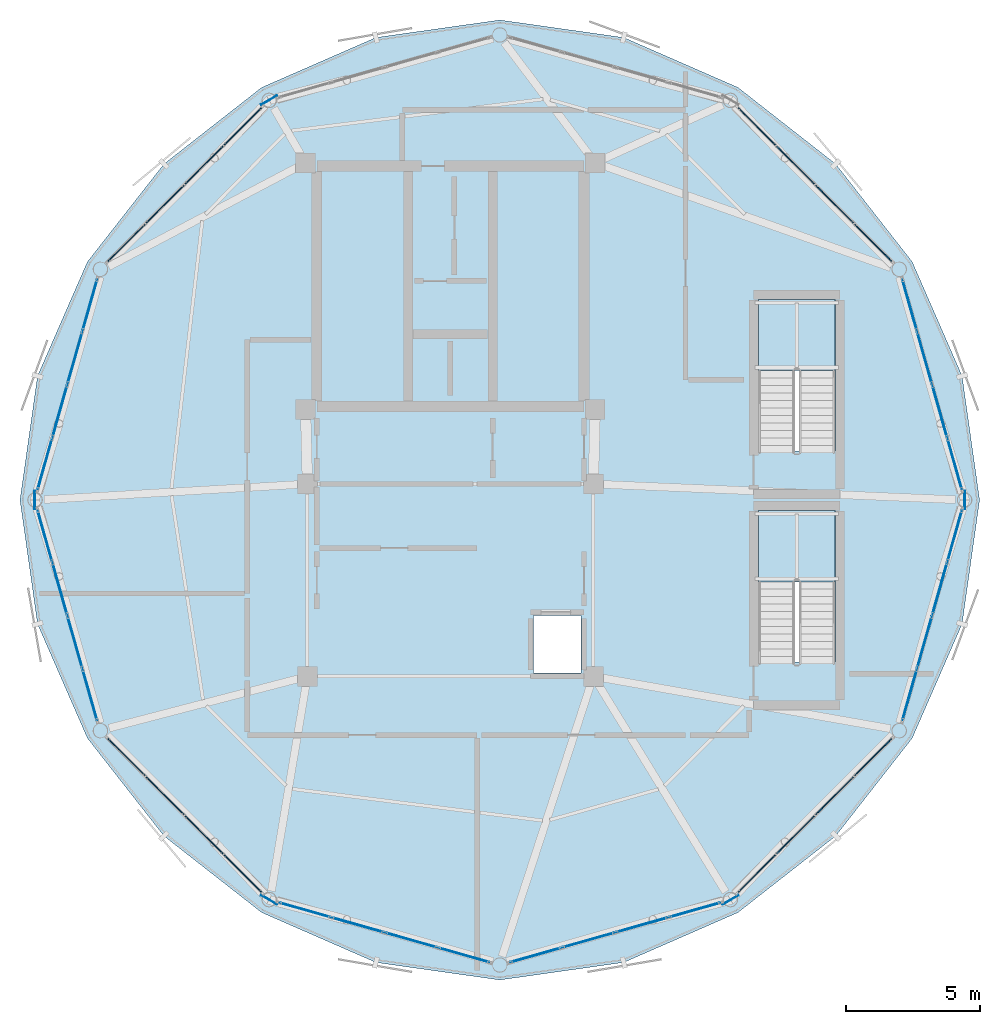
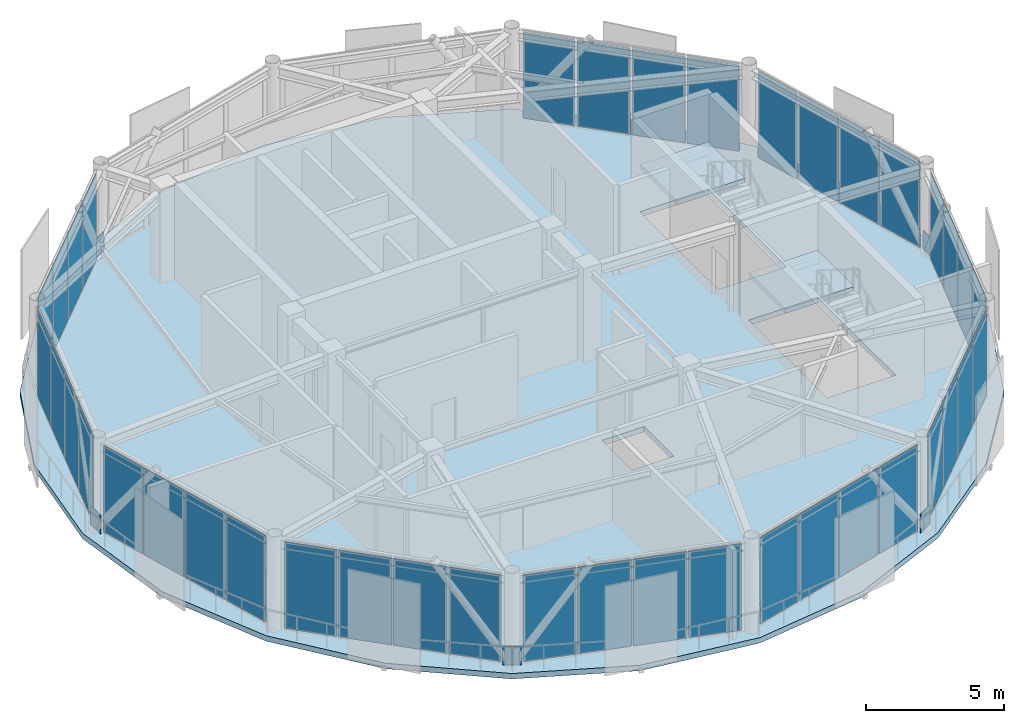
# One storey, part 15 of 20: 45 plates, 3 slabs, 12 elements without a shape of their own.
"""IFC4 building model written with IfcOpenShell, lengths in metres."""

from ifc_helpers import new_model, si_unit, direction, frame, origin, origin_2d, place, context, subcontext, project, spatial, polyline, rectangle, outline, extrude, source, transform, mapped, material, layer, layer_set, type_object, type_shapes, element, aggregate, save


model = new_model("IFC4")

# Units and contexts
model_context = context("Model", 3, precision=1e-05, world=origin(), true_north=direction((0.0, 1.0)))
body_context = subcontext(model_context, "Body", "Model", "MODEL_VIEW")
ifc_project = project(units=[si_unit("LENGTHUNIT", "METRE"), si_unit("AREAUNIT", "SQUARE_METRE"), si_unit("VOLUMEUNIT", "CUBIC_METRE"), si_unit("PLANEANGLEUNIT", "RADIAN"), si_unit("MASSUNIT", "GRAM", prefix="KILO")], contexts=[model_context])

# Site, building, storey
site_placement = place(None, origin())
site = spatial("IfcSite", under=ifc_project, at=site_placement, CompositionType="ELEMENT")
building_placement = place(site_placement, origin())
building = spatial("IfcBuilding", under=site, at=building_placement, Name="Varnakorn Sky Granary", CompositionType="ELEMENT")
storey_placement = place(building_placement, frame((0.0, 0.0, 306.60009765625)))
storey = spatial("IfcBuildingStorey", under=building, at=storey_placement, Name="L78", CompositionType="ELEMENT", Elevation=306.60009765625)

# Plates
ifc_material_1 = material(Name="Steel S460M", Category="steel")
ifc_layer_1 = layer(ifc_material_1, 0.031982421875, Name="Steel S460M")
ifc_layer_set_1 = layer_set([ifc_layer_1], Name="Steel S460M")
plate_type_1 = type_object("IfcPlateType", Name="PL-NODE-KN8", PredefinedType="SHEET", material=ifc_layer_set_1)
for number, where, z_axis, x_axis, name in (
    (1, (22.257080078125, 0.0, 0.0), (0.0, 0.0, 1.0), (0.0, 1.0, 0.0), "Diagrid Node Gusset Assembly KN8 L78-1"),
    (2, (-3.785888671875, 14.964111328125, 0.0), (0.0, 0.0, 1.0), (-0.866113789901, -0.499846879497, 0.0), "Diagrid Node Gusset Assembly KN8 L78-5"),
    (3, (-12.556884765625, 0.0, 0.0), (0.0, 0.0, 1.0), (0.0, -1.0, 0.0), "Diagrid Node Gusset Assembly KN8 L78-7"),
    (4, (-3.785888671875, -14.964111328125, 0.0), (0.0, 0.0, 1.0), (0.866113789901, -0.499846879497, 0.0), "Diagrid Node Gusset Assembly KN8 L78-9"),
    (5, (13.486083984375, -14.964111328125, 0.0), (0.0, 0.0, 1.0), (0.866113789901, 0.499846879497, 0.0), "Diagrid Node Gusset Assembly KN8 L78-11"),
):
    element("IfcPlate", number, at=place(storey_placement, frame(where, z_axis=z_axis, x_axis=x_axis)), inside=storey, type_object=plate_type_1, Name=name, PredefinedType="SHEET", context=body_context, shape_type="SweptSolid", body=[
        extrude(rectangle(XDim=0.699951171875, YDim=0.031982421875, at=origin_2d()), origin(), (0.0, 0.0, 1.0), 0.820068359375),
    ])

# Stair, slab
ifc_material_2 = material(Name="Concrete C40/50", Category="concrete")
stair_type = type_object("IfcStairType", Name="ST-CRWN-ASSEMBLY", PredefinedType="HALF_TURN_STAIR", material=ifc_material_2)
stair_1_placement = place(storey_placement, origin())
stair_1 = element("IfcStair", 6, at=stair_1_placement, inside=storey, type_object=stair_type, Name="L78 Crown North Exit Stair ST-C1", PredefinedType="HALF_TURN_STAIR")
ifc_layer_2 = layer(ifc_material_2, 0.199951171875, Name="Concrete C40/50")
ifc_layer_set_2 = layer_set([ifc_layer_2], Name="Concrete C40/50")
slab_type_1 = type_object("IfcSlabType", Name="ST-CRWN-LAND", PredefinedType="LANDING", material=ifc_layer_set_2)
slab_1_placement = place(storey_placement, frame((0.0, 0.0, 1.89990234375)))
slab_1 = element("IfcSlab", 7, at=slab_1_placement, type_object=slab_type_1, Name="ST-C1 landing 1", PredefinedType="LANDING", context=body_context, shape_type="SweptSolid", body=[
    extrude(outline(polyline([(17.39990234375, 4.840087890625), (17.39990234375, 7.5), (14.530029296875, 7.5), (14.530029296875, 4.840087890625), (17.39990234375, 4.840087890625)])), origin(), (0.0, 0.0, 1.0), 0.199951171875),
])
aggregate(stair_1, [slab_1])

stair_2_placement = place(storey_placement, origin())
stair_2 = element("IfcStair", 8, at=stair_2_placement, inside=storey, type_object=stair_type, Name="L78 Crown South Exit Stair ST-C2", PredefinedType="HALF_TURN_STAIR")
slab_2_placement = place(storey_placement, frame((0.0, 0.0, 1.89990234375)))
slab_2 = element("IfcSlab", 9, at=slab_2_placement, type_object=slab_type_1, Name="ST-C2 landing 1", PredefinedType="LANDING", context=body_context, shape_type="SweptSolid", body=[
    extrude(outline(polyline([(17.39990234375, -3.06005859375), (17.39990234375, -0.39990234375), (14.530029296875, -0.39990234375), (14.530029296875, -3.06005859375), (17.39990234375, -3.06005859375)])), origin(), (0.0, 0.0, 1.0), 0.199951171875),
])
aggregate(stair_2, [slab_2])

# Slab
ifc_material_3 = material(Name="Concrete C50/60", Category="concrete")
ifc_layer_3 = layer(ifc_material_3, 0.239990234375, Name="Concrete C50/60")
ifc_layer_set_3 = layer_set([ifc_layer_3], Name="Concrete C50/60")
slab_type_2 = type_object("IfcSlabType", Name="ST-SL-TWR-240", PredefinedType="FLOOR", material=ifc_layer_set_3)
slab_3_placement = place(storey_placement, frame((0.0, 0.0, -0.239990234375)))
element("IfcSlab", 10, at=slab_3_placement, inside=storey, type_object=slab_type_2, Name="Level L78 Structural Floor Slab", PredefinedType="FLOOR", context=body_context, shape_type="SweptSolid", body=[
    extrude(outline(polyline([(22.806884765625, 0.0), (22.151611328125, 4.6376953125), (20.2841796875, 8.91455078125), (17.420166015625, 12.5751953125), (13.760986328125, 15.4404296875), (9.486083984375, 17.308349609375), (4.85009765625, 17.964111328125), (0.214111328125, 17.308349609375), (-4.06103515625, 15.4404296875), (-7.72021484375, 12.5751953125), (-10.584228515625, 8.91455078125), (-12.45166015625, 4.6376953125), (-13.10693359375, 0.0), (-12.45166015625, -4.6376953125), (-10.584228515625, -8.91455078125), (-7.72021484375, -12.5751953125), (-4.06103515625, -15.4404296875), (0.214111328125, -17.308349609375), (4.85009765625, -17.964111328125), (9.486083984375, -17.308349609375), (13.760986328125, -15.4404296875), (17.420166015625, -12.5751953125), (20.2841796875, -8.91455078125), (22.151611328125, -4.6376953125), (22.806884765625, 0.0)]), holes=[polyline([(17.39990234375, 1.8349609375), (17.39990234375, 7.5), (14.530029296875, 7.5), (14.530029296875, 1.8349609375), (17.39990234375, 1.8349609375)]), polyline([(17.39990234375, -6.06494140625), (17.39990234375, -0.39990234375), (14.530029296875, -0.39990234375), (14.530029296875, -6.06494140625), (17.39990234375, -6.06494140625)]), polyline([(6.1201171875, -6.47998046875), (7.8798828125, -6.47998046875), (7.8798828125, -4.320068359375), (6.1201171875, -4.320068359375), (6.1201171875, -6.47998046875)])]), origin(), (0.0, 0.0, 1.0), 0.239990234375),
])

# Curtain wall, plates
ifc_material_4 = material(Name="Anodised Bronze Aluminium Alloy 6063-T6", Category="aluminium")
ifc_layer_4 = layer(ifc_material_4, 0.22998046875, Name="Anodised Bronze Aluminium Alloy 6063-T6")
ifc_layer_set_4 = layer_set([ifc_layer_4], Name="Anodised Bronze Aluminium Alloy 6063-T6")
curtain_wall_type = type_object("IfcCurtainWallType", Name="CW-LNT-1", PredefinedType="USERDEFINED", material=ifc_layer_set_4)
curtain_wall_1_placement = place(storey_placement, origin())
curtain_wall_1 = element("IfcCurtainWall", 11, at=curtain_wall_1_placement, inside=storey, type_object=curtain_wall_type, Name="Unitised Curtain Wall CW7 CW-L78-B02", ObjectType="CURTAIN WALL", PredefinedType="USERDEFINED")
ifc_material_5 = material(Name="Opaque Insulated Aluminium Shadow-Box Unit", Category="aluminium")
ifc_layer_5 = layer(ifc_material_5, 0.035888671875, Name="Opaque Insulated Aluminium Shadow-Box Unit")
ifc_layer_set_5 = layer_set([ifc_layer_5], Name="Opaque Insulated Aluminium Shadow-Box Unit")
plate_type_2 = type_object("IfcPlateType", Name="CW-LNT-1-PNL", PredefinedType="CURTAIN_PANEL")
shared_shape_1 = source(origin(), body_context, "Body", "SweptSolid", [
    extrude(rectangle(XDim=1.990966796875, YDim=0.035888671875, at=origin_2d()), origin(), (0.0, 0.0, 1.0), 3.81005859375),
])
plate_1_placement = place(storey_placement, frame((15.916748046875, 12.532470703125, 0.074951171875), z_axis=(0.0, 0.0, 1.0), x_axis=(0.706961549932, -0.707251982619, 0.0)))
plate_1 = element("IfcPlate", 12, at=plate_1_placement, type_object=plate_type_2, material=ifc_layer_set_5, Name="CW7 opaque insulated shadow-box unit 2.1", PredefinedType="CURTAIN_PANEL", context=body_context, shape_type="MappedRepresentation", body=[
    mapped(shared_shape_1, transform((0.0, 0.0, 0.0), x_axis=(1.0, 0.0, 0.0), y_axis=(0.0, 1.0, 0.0), z_axis=(0.0, 0.0, 1.0), scale=1.0)),
])
ifc_material_6 = material(Name="Low-E Tinted Laminated Glass", Category="glass")
ifc_layer_6 = layer(ifc_material_6, 0.035888671875, Name="Low-E Tinted Laminated Glass")
ifc_layer_set_6 = layer_set([ifc_layer_6], Name="Low-E Tinted Laminated Glass")
plate_2_placement = place(storey_placement, frame((17.377197265625, 11.0712890625, 0.074951171875), z_axis=(0.0, 0.0, 1.0), x_axis=(0.706961549932, -0.707251982619, 0.0)))
plate_2 = element("IfcPlate", 13, at=plate_2_placement, type_object=plate_type_2, material=ifc_layer_set_6, Name="CW7 vision glazing unit 3.1", PredefinedType="CURTAIN_PANEL", context=body_context, shape_type="MappedRepresentation", body=[
    mapped(shared_shape_1, transform((0.0, 0.0, 0.0), x_axis=(1.0, 0.0, 0.0), y_axis=(0.0, 1.0, 0.0), z_axis=(0.0, 0.0, 1.0), scale=1.0)),
])

curtain_wall_2_placement = place(storey_placement, origin())
curtain_wall_2 = element("IfcCurtainWall", 14, at=curtain_wall_2_placement, inside=storey, type_object=curtain_wall_type, Name="Unitised Curtain Wall CW7 CW-L78-B05", ObjectType="CURTAIN WALL", PredefinedType="USERDEFINED")
plate_3_placement = place(storey_placement, frame((-7.67724609375, 11.0712890625, 0.074951171875), z_axis=(0.0, 0.0, 1.0), x_axis=(0.706961549932, 0.707251982619, 0.0)))
plate_3 = element("IfcPlate", 15, at=plate_3_placement, type_object=plate_type_2, material=ifc_layer_set_6, Name="CW7 vision glazing unit 2.1", PredefinedType="CURTAIN_PANEL", context=body_context, shape_type="MappedRepresentation", body=[
    mapped(shared_shape_1, transform((0.0, 0.0, 0.0), x_axis=(1.0, 0.0, 0.0), y_axis=(0.0, 1.0, 0.0), z_axis=(0.0, 0.0, 1.0), scale=1.0)),
])
plate_4_placement = place(storey_placement, frame((-6.216796875, 12.532470703125, 0.074951171875), z_axis=(0.0, 0.0, 1.0), x_axis=(0.706961549932, 0.707251982619, 0.0)))
plate_4 = element("IfcPlate", 16, at=plate_4_placement, type_object=plate_type_2, material=ifc_layer_set_5, Name="CW7 opaque insulated shadow-box unit 3.1", PredefinedType="CURTAIN_PANEL", context=body_context, shape_type="MappedRepresentation", body=[
    mapped(shared_shape_1, transform((0.0, 0.0, 0.0), x_axis=(1.0, 0.0, 0.0), y_axis=(0.0, 1.0, 0.0), z_axis=(0.0, 0.0, 1.0), scale=1.0)),
])

curtain_wall_3_placement = place(storey_placement, origin())
curtain_wall_3 = element("IfcCurtainWall", 17, at=curtain_wall_3_placement, inside=storey, type_object=curtain_wall_type, Name="Unitised Curtain Wall CW7 CW-L78-B08", ObjectType="CURTAIN WALL", PredefinedType="USERDEFINED")
plate_5_placement = place(storey_placement, frame((-6.216796875, -12.532470703125, 0.074951171875), z_axis=(0.0, 0.0, 1.0), x_axis=(-0.706961549932, 0.707251982619, 0.0)))
plate_5 = element("IfcPlate", 18, at=plate_5_placement, type_object=plate_type_2, material=ifc_layer_set_5, Name="CW7 opaque insulated shadow-box unit 2.1", PredefinedType="CURTAIN_PANEL", context=body_context, shape_type="MappedRepresentation", body=[
    mapped(shared_shape_1, transform((0.0, 0.0, 0.0), x_axis=(1.0, 0.0, 0.0), y_axis=(0.0, 1.0, 0.0), z_axis=(0.0, 0.0, 1.0), scale=1.0)),
])
plate_6_placement = place(storey_placement, frame((-7.67724609375, -11.0712890625, 0.074951171875), z_axis=(0.0, 0.0, 1.0), x_axis=(-0.706961549932, 0.707251982619, 0.0)))
plate_6 = element("IfcPlate", 19, at=plate_6_placement, type_object=plate_type_2, material=ifc_layer_set_6, Name="CW7 vision glazing unit 3.1", PredefinedType="CURTAIN_PANEL", context=body_context, shape_type="MappedRepresentation", body=[
    mapped(shared_shape_1, transform((0.0, 0.0, 0.0), x_axis=(1.0, 0.0, 0.0), y_axis=(0.0, 1.0, 0.0), z_axis=(0.0, 0.0, 1.0), scale=1.0)),
])

curtain_wall_4_placement = place(storey_placement, origin())
curtain_wall_4 = element("IfcCurtainWall", 20, at=curtain_wall_4_placement, inside=storey, type_object=curtain_wall_type, Name="Unitised Curtain Wall CW7 CW-L78-B11", ObjectType="CURTAIN WALL", PredefinedType="USERDEFINED")
plate_7_placement = place(storey_placement, frame((17.377197265625, -11.0712890625, 0.074951171875), z_axis=(0.0, 0.0, 1.0), x_axis=(-0.706961549932, -0.707251982619, 0.0)))
plate_7 = element("IfcPlate", 21, at=plate_7_placement, type_object=plate_type_2, material=ifc_layer_set_6, Name="CW7 vision glazing unit 2.1", PredefinedType="CURTAIN_PANEL", context=body_context, shape_type="MappedRepresentation", body=[
    mapped(shared_shape_1, transform((0.0, 0.0, 0.0), x_axis=(1.0, 0.0, 0.0), y_axis=(0.0, 1.0, 0.0), z_axis=(0.0, 0.0, 1.0), scale=1.0)),
])
plate_8_placement = place(storey_placement, frame((15.916748046875, -12.532470703125, 0.074951171875), z_axis=(0.0, 0.0, 1.0), x_axis=(-0.706961549932, -0.707251982619, 0.0)))
plate_8 = element("IfcPlate", 22, at=plate_8_placement, type_object=plate_type_2, material=ifc_layer_set_5, Name="CW7 opaque insulated shadow-box unit 3.1", PredefinedType="CURTAIN_PANEL", context=body_context, shape_type="MappedRepresentation", body=[
    mapped(shared_shape_1, transform((0.0, 0.0, 0.0), x_axis=(1.0, 0.0, 0.0), y_axis=(0.0, 1.0, 0.0), z_axis=(0.0, 0.0, 1.0), scale=1.0)),
])

curtain_wall_5_placement = place(storey_placement, origin())
curtain_wall_5 = element("IfcCurtainWall", 23, at=curtain_wall_5_placement, inside=storey, type_object=curtain_wall_type, Name="Unitised Curtain Wall CW7 CW-L78-B01", ObjectType="CURTAIN WALL", PredefinedType="USERDEFINED")
shared_shape_2 = source(origin(), body_context, "Body", "SweptSolid", [
    extrude(rectangle(XDim=1.962646484375, YDim=0.035888671875, at=origin_2d()), origin(), (0.0, 0.0, 1.0), 3.81005859375),
])
plate_9_placement = place(storey_placement, frame((20.188720703125, 7.296630859375, 0.074951171875), z_axis=(0.0, 0.0, 1.0), x_axis=(0.272715759188, -0.962094649549, 0.0)))
plate_9 = element("IfcPlate", 24, at=plate_9_placement, type_object=plate_type_2, material=ifc_layer_set_6, Name="CW7 vision glazing unit 1.1", PredefinedType="CURTAIN_PANEL", context=body_context, shape_type="MappedRepresentation", body=[
    mapped(shared_shape_2, transform((0.0, 0.0, 0.0), x_axis=(1.0, 0.0, 0.0), y_axis=(0.0, 1.0, 0.0), z_axis=(0.0, 0.0, 1.0), scale=1.0)),
])
plate_10_placement = place(storey_placement, frame((21.876220703125, 1.343017578125, 0.074951171875), z_axis=(0.0, 0.0, 1.0), x_axis=(0.272715759188, -0.962094649549, 0.0)))
plate_10 = element("IfcPlate", 25, at=plate_10_placement, type_object=plate_type_2, material=ifc_layer_set_5, Name="CW7 opaque insulated shadow-box unit 4.1", PredefinedType="CURTAIN_PANEL", context=body_context, shape_type="MappedRepresentation", body=[
    mapped(shared_shape_2, transform((0.0, 0.0, 0.0), x_axis=(1.0, 0.0, 0.0), y_axis=(0.0, 1.0, 0.0), z_axis=(0.0, 0.0, 1.0), scale=1.0)),
])

curtain_wall_6_placement = place(storey_placement, origin())
curtain_wall_6 = element("IfcCurtainWall", 26, at=curtain_wall_6_placement, inside=storey, type_object=curtain_wall_type, Name="Unitised Curtain Wall CW7 CW-L78-B06", ObjectType="CURTAIN WALL", PredefinedType="USERDEFINED")
plate_11_placement = place(storey_placement, frame((-12.17626953125, 1.343017578125, 0.074951171875), z_axis=(0.0, 0.0, 1.0), x_axis=(0.272715759188, 0.962094649549, 0.0)))
plate_11 = element("IfcPlate", 27, at=plate_11_placement, type_object=plate_type_2, material=ifc_layer_set_5, Name="CW7 opaque insulated shadow-box unit 1.1", PredefinedType="CURTAIN_PANEL", context=body_context, shape_type="MappedRepresentation", body=[
    mapped(shared_shape_2, transform((0.0, 0.0, 0.0), x_axis=(1.0, 0.0, 0.0), y_axis=(0.0, 1.0, 0.0), z_axis=(0.0, 0.0, 1.0), scale=1.0)),
])
plate_12_placement = place(storey_placement, frame((-10.48876953125, 7.296630859375, 0.074951171875), z_axis=(0.0, 0.0, 1.0), x_axis=(0.272715759188, 0.962094649549, 0.0)))
plate_12 = element("IfcPlate", 28, at=plate_12_placement, type_object=plate_type_2, material=ifc_layer_set_6, Name="CW7 vision glazing unit 4.1", PredefinedType="CURTAIN_PANEL", context=body_context, shape_type="MappedRepresentation", body=[
    mapped(shared_shape_2, transform((0.0, 0.0, 0.0), x_axis=(1.0, 0.0, 0.0), y_axis=(0.0, 1.0, 0.0), z_axis=(0.0, 0.0, 1.0), scale=1.0)),
])

curtain_wall_7_placement = place(storey_placement, origin())
curtain_wall_7 = element("IfcCurtainWall", 29, at=curtain_wall_7_placement, inside=storey, type_object=curtain_wall_type, Name="Unitised Curtain Wall CW7 CW-L78-B07", ObjectType="CURTAIN WALL", PredefinedType="USERDEFINED")
plate_13_placement = place(storey_placement, frame((-10.48876953125, -7.296630859375, 0.074951171875), z_axis=(0.0, 0.0, 1.0), x_axis=(-0.272715759188, 0.962094649549, 0.0)))
plate_13 = element("IfcPlate", 30, at=plate_13_placement, type_object=plate_type_2, material=ifc_layer_set_6, Name="CW7 vision glazing unit 1.1", PredefinedType="CURTAIN_PANEL", context=body_context, shape_type="MappedRepresentation", body=[
    mapped(shared_shape_2, transform((0.0, 0.0, 0.0), x_axis=(1.0, 0.0, 0.0), y_axis=(0.0, 1.0, 0.0), z_axis=(0.0, 0.0, 1.0), scale=1.0)),
])
plate_14_placement = place(storey_placement, frame((-12.17626953125, -1.343017578125, 0.074951171875), z_axis=(0.0, 0.0, 1.0), x_axis=(-0.272715759188, 0.962094649549, 0.0)))
plate_14 = element("IfcPlate", 31, at=plate_14_placement, type_object=plate_type_2, material=ifc_layer_set_5, Name="CW7 opaque insulated shadow-box unit 4.1", PredefinedType="CURTAIN_PANEL", context=body_context, shape_type="MappedRepresentation", body=[
    mapped(shared_shape_2, transform((0.0, 0.0, 0.0), x_axis=(1.0, 0.0, 0.0), y_axis=(0.0, 1.0, 0.0), z_axis=(0.0, 0.0, 1.0), scale=1.0)),
])

curtain_wall_8_placement = place(storey_placement, origin())
curtain_wall_8 = element("IfcCurtainWall", 32, at=curtain_wall_8_placement, inside=storey, type_object=curtain_wall_type, Name="Unitised Curtain Wall CW7 CW-L78-B12", ObjectType="CURTAIN WALL", PredefinedType="USERDEFINED")
plate_15_placement = place(storey_placement, frame((21.876220703125, -1.343017578125, 0.074951171875), z_axis=(0.0, 0.0, 1.0), x_axis=(-0.272715759188, -0.962094649549, 0.0)))
plate_15 = element("IfcPlate", 33, at=plate_15_placement, type_object=plate_type_2, material=ifc_layer_set_5, Name="CW7 opaque insulated shadow-box unit 1.1", PredefinedType="CURTAIN_PANEL", context=body_context, shape_type="MappedRepresentation", body=[
    mapped(shared_shape_2, transform((0.0, 0.0, 0.0), x_axis=(1.0, 0.0, 0.0), y_axis=(0.0, 1.0, 0.0), z_axis=(0.0, 0.0, 1.0), scale=1.0)),
])
plate_16_placement = place(storey_placement, frame((20.188720703125, -7.296630859375, 0.074951171875), z_axis=(0.0, 0.0, 1.0), x_axis=(-0.272715759188, -0.962094649549, 0.0)))
plate_16 = element("IfcPlate", 34, at=plate_16_placement, type_object=plate_type_2, material=ifc_layer_set_6, Name="CW7 vision glazing unit 4.1", PredefinedType="CURTAIN_PANEL", context=body_context, shape_type="MappedRepresentation", body=[
    mapped(shared_shape_2, transform((0.0, 0.0, 0.0), x_axis=(1.0, 0.0, 0.0), y_axis=(0.0, 1.0, 0.0), z_axis=(0.0, 0.0, 1.0), scale=1.0)),
])

# Plate
shared_shape_3 = source(origin(), body_context, "Body", "SweptSolid", [
    extrude(rectangle(XDim=2.000244140625, YDim=0.035888671875, at=origin_2d()), origin(), (0.0, 0.0, 1.0), 3.81005859375),
])
plate_17_placement = place(storey_placement, frame((20.74951171875, 5.318115234375, 0.074951171875), z_axis=(0.0, 0.0, 1.0), x_axis=(0.272715759188, -0.962094649549, 0.0)))
plate_17 = element("IfcPlate", 35, at=plate_17_placement, type_object=plate_type_2, material=ifc_layer_set_6, Name="CW7 vision glazing unit 2.1", PredefinedType="CURTAIN_PANEL", context=body_context, shape_type="MappedRepresentation", body=[
    mapped(shared_shape_3, transform((0.0, 0.0, 0.0), x_axis=(1.0, 0.0, 0.0), y_axis=(0.0, 1.0, 0.0), z_axis=(0.0, 0.0, 1.0), scale=1.0)),
])

plate_18_placement = place(storey_placement, frame((21.3154296875, 3.321533203125, 0.074951171875), z_axis=(0.0, 0.0, 1.0), x_axis=(0.272715759188, -0.962094649549, 0.0)))
plate_18 = element("IfcPlate", 36, at=plate_18_placement, type_object=plate_type_2, material=ifc_layer_set_5, Name="CW7 opaque insulated shadow-box unit 3.1", PredefinedType="CURTAIN_PANEL", context=body_context, shape_type="MappedRepresentation", body=[
    mapped(shared_shape_3, transform((0.0, 0.0, 0.0), x_axis=(1.0, 0.0, 0.0), y_axis=(0.0, 1.0, 0.0), z_axis=(0.0, 0.0, 1.0), scale=1.0)),
])

aggregate(curtain_wall_5, [plate_9, plate_17, plate_18, plate_10])

plate_19_placement = place(storey_placement, frame((-11.615478515625, 3.321533203125, 0.074951171875), z_axis=(0.0, 0.0, 1.0), x_axis=(0.272715759188, 0.962094649549, 0.0)))
plate_19 = element("IfcPlate", 37, at=plate_19_placement, type_object=plate_type_2, material=ifc_layer_set_5, Name="CW7 opaque insulated shadow-box unit 2.1", PredefinedType="CURTAIN_PANEL", context=body_context, shape_type="MappedRepresentation", body=[
    mapped(shared_shape_3, transform((0.0, 0.0, 0.0), x_axis=(1.0, 0.0, 0.0), y_axis=(0.0, 1.0, 0.0), z_axis=(0.0, 0.0, 1.0), scale=1.0)),
])

plate_20_placement = place(storey_placement, frame((-11.049560546875, 5.318115234375, 0.074951171875), z_axis=(0.0, 0.0, 1.0), x_axis=(0.272715759188, 0.962094649549, 0.0)))
plate_20 = element("IfcPlate", 38, at=plate_20_placement, type_object=plate_type_2, material=ifc_layer_set_6, Name="CW7 vision glazing unit 3.1", PredefinedType="CURTAIN_PANEL", context=body_context, shape_type="MappedRepresentation", body=[
    mapped(shared_shape_3, transform((0.0, 0.0, 0.0), x_axis=(1.0, 0.0, 0.0), y_axis=(0.0, 1.0, 0.0), z_axis=(0.0, 0.0, 1.0), scale=1.0)),
])

aggregate(curtain_wall_6, [plate_11, plate_19, plate_20, plate_12])

plate_21_placement = place(storey_placement, frame((-11.049560546875, -5.318115234375, 0.074951171875), z_axis=(0.0, 0.0, 1.0), x_axis=(-0.272715759188, 0.962094649549, 0.0)))
plate_21 = element("IfcPlate", 39, at=plate_21_placement, type_object=plate_type_2, material=ifc_layer_set_6, Name="CW7 vision glazing unit 2.1", PredefinedType="CURTAIN_PANEL", context=body_context, shape_type="MappedRepresentation", body=[
    mapped(shared_shape_3, transform((0.0, 0.0, 0.0), x_axis=(1.0, 0.0, 0.0), y_axis=(0.0, 1.0, 0.0), z_axis=(0.0, 0.0, 1.0), scale=1.0)),
])

plate_22_placement = place(storey_placement, frame((-11.615478515625, -3.321533203125, 0.074951171875), z_axis=(0.0, 0.0, 1.0), x_axis=(-0.272715759188, 0.962094649549, 0.0)))
plate_22 = element("IfcPlate", 40, at=plate_22_placement, type_object=plate_type_2, material=ifc_layer_set_5, Name="CW7 opaque insulated shadow-box unit 3.1", PredefinedType="CURTAIN_PANEL", context=body_context, shape_type="MappedRepresentation", body=[
    mapped(shared_shape_3, transform((0.0, 0.0, 0.0), x_axis=(1.0, 0.0, 0.0), y_axis=(0.0, 1.0, 0.0), z_axis=(0.0, 0.0, 1.0), scale=1.0)),
])

aggregate(curtain_wall_7, [plate_13, plate_21, plate_22, plate_14])

plate_23_placement = place(storey_placement, frame((21.3154296875, -3.321533203125, 0.074951171875), z_axis=(0.0, 0.0, 1.0), x_axis=(-0.272715759188, -0.962094649549, 0.0)))
plate_23 = element("IfcPlate", 41, at=plate_23_placement, type_object=plate_type_2, material=ifc_layer_set_5, Name="CW7 opaque insulated shadow-box unit 2.1", PredefinedType="CURTAIN_PANEL", context=body_context, shape_type="MappedRepresentation", body=[
    mapped(shared_shape_3, transform((0.0, 0.0, 0.0), x_axis=(1.0, 0.0, 0.0), y_axis=(0.0, 1.0, 0.0), z_axis=(0.0, 0.0, 1.0), scale=1.0)),
])

plate_24_placement = place(storey_placement, frame((20.74951171875, -5.318115234375, 0.074951171875), z_axis=(0.0, 0.0, 1.0), x_axis=(-0.272715759188, -0.962094649549, 0.0)))
plate_24 = element("IfcPlate", 42, at=plate_24_placement, type_object=plate_type_2, material=ifc_layer_set_6, Name="CW7 vision glazing unit 3.1", PredefinedType="CURTAIN_PANEL", context=body_context, shape_type="MappedRepresentation", body=[
    mapped(shared_shape_3, transform((0.0, 0.0, 0.0), x_axis=(1.0, 0.0, 0.0), y_axis=(0.0, 1.0, 0.0), z_axis=(0.0, 0.0, 1.0), scale=1.0)),
])

aggregate(curtain_wall_8, [plate_15, plate_23, plate_24, plate_16])

shared_shape_4 = source(origin(), body_context, "Body", "SweptSolid", [
    extrude(rectangle(XDim=1.953369140625, YDim=0.035888671875, at=origin_2d()), origin(), (0.0, 0.0, 1.0), 3.81005859375),
])
plate_25_placement = place(storey_placement, frame((14.469482421875, 13.980224609375, 0.074951171875), z_axis=(0.0, 0.0, 1.0), x_axis=(0.706961549932, -0.707251982619, 0.0)))
plate_25 = element("IfcPlate", 43, at=plate_25_placement, type_object=plate_type_2, material=ifc_layer_set_5, Name="CW7 opaque insulated shadow-box unit 1.1", PredefinedType="CURTAIN_PANEL", context=body_context, shape_type="MappedRepresentation", body=[
    mapped(shared_shape_4, transform((0.0, 0.0, 0.0), x_axis=(1.0, 0.0, 0.0), y_axis=(0.0, 1.0, 0.0), z_axis=(0.0, 0.0, 1.0), scale=1.0)),
])

plate_26_placement = place(storey_placement, frame((18.824462890625, 9.623291015625, 0.074951171875), z_axis=(0.0, 0.0, 1.0), x_axis=(0.706961549932, -0.707251982619, 0.0)))
plate_26 = element("IfcPlate", 44, at=plate_26_placement, type_object=plate_type_2, material=ifc_layer_set_6, Name="CW7 vision glazing unit 4.1", PredefinedType="CURTAIN_PANEL", context=body_context, shape_type="MappedRepresentation", body=[
    mapped(shared_shape_4, transform((0.0, 0.0, 0.0), x_axis=(1.0, 0.0, 0.0), y_axis=(0.0, 1.0, 0.0), z_axis=(0.0, 0.0, 1.0), scale=1.0)),
])

aggregate(curtain_wall_1, [plate_25, plate_1, plate_2, plate_26])

plate_27_placement = place(storey_placement, frame((-9.12451171875, 9.623291015625, 0.074951171875), z_axis=(0.0, 0.0, 1.0), x_axis=(0.706961549932, 0.707251982619, 0.0)))
plate_27 = element("IfcPlate", 45, at=plate_27_placement, type_object=plate_type_2, material=ifc_layer_set_6, Name="CW7 vision glazing unit 1.1", PredefinedType="CURTAIN_PANEL", context=body_context, shape_type="MappedRepresentation", body=[
    mapped(shared_shape_4, transform((0.0, 0.0, 0.0), x_axis=(1.0, 0.0, 0.0), y_axis=(0.0, 1.0, 0.0), z_axis=(0.0, 0.0, 1.0), scale=1.0)),
])

plate_28_placement = place(storey_placement, frame((-4.76953125, 13.980224609375, 0.074951171875), z_axis=(0.0, 0.0, 1.0), x_axis=(0.706961549932, 0.707251982619, 0.0)))
plate_28 = element("IfcPlate", 46, at=plate_28_placement, type_object=plate_type_2, material=ifc_layer_set_5, Name="CW7 opaque insulated shadow-box unit 4.1", PredefinedType="CURTAIN_PANEL", context=body_context, shape_type="MappedRepresentation", body=[
    mapped(shared_shape_4, transform((0.0, 0.0, 0.0), x_axis=(1.0, 0.0, 0.0), y_axis=(0.0, 1.0, 0.0), z_axis=(0.0, 0.0, 1.0), scale=1.0)),
])

aggregate(curtain_wall_2, [plate_27, plate_3, plate_4, plate_28])

plate_29_placement = place(storey_placement, frame((-4.76953125, -13.980224609375, 0.074951171875), z_axis=(0.0, 0.0, 1.0), x_axis=(-0.706961549932, 0.707251982619, 0.0)))
plate_29 = element("IfcPlate", 47, at=plate_29_placement, type_object=plate_type_2, material=ifc_layer_set_5, Name="CW7 opaque insulated shadow-box unit 1.1", PredefinedType="CURTAIN_PANEL", context=body_context, shape_type="MappedRepresentation", body=[
    mapped(shared_shape_4, transform((0.0, 0.0, 0.0), x_axis=(1.0, 0.0, 0.0), y_axis=(0.0, 1.0, 0.0), z_axis=(0.0, 0.0, 1.0), scale=1.0)),
])

plate_30_placement = place(storey_placement, frame((-9.12451171875, -9.623291015625, 0.074951171875), z_axis=(0.0, 0.0, 1.0), x_axis=(-0.706961549932, 0.707251982619, 0.0)))
plate_30 = element("IfcPlate", 48, at=plate_30_placement, type_object=plate_type_2, material=ifc_layer_set_6, Name="CW7 vision glazing unit 4.1", PredefinedType="CURTAIN_PANEL", context=body_context, shape_type="MappedRepresentation", body=[
    mapped(shared_shape_4, transform((0.0, 0.0, 0.0), x_axis=(1.0, 0.0, 0.0), y_axis=(0.0, 1.0, 0.0), z_axis=(0.0, 0.0, 1.0), scale=1.0)),
])

aggregate(curtain_wall_3, [plate_29, plate_5, plate_6, plate_30])

plate_31_placement = place(storey_placement, frame((18.824462890625, -9.623291015625, 0.074951171875), z_axis=(0.0, 0.0, 1.0), x_axis=(-0.706961549932, -0.707251982619, 0.0)))
plate_31 = element("IfcPlate", 49, at=plate_31_placement, type_object=plate_type_2, material=ifc_layer_set_6, Name="CW7 vision glazing unit 1.1", PredefinedType="CURTAIN_PANEL", context=body_context, shape_type="MappedRepresentation", body=[
    mapped(shared_shape_4, transform((0.0, 0.0, 0.0), x_axis=(1.0, 0.0, 0.0), y_axis=(0.0, 1.0, 0.0), z_axis=(0.0, 0.0, 1.0), scale=1.0)),
])

plate_32_placement = place(storey_placement, frame((14.469482421875, -13.980224609375, 0.074951171875), z_axis=(0.0, 0.0, 1.0), x_axis=(-0.706961549932, -0.707251982619, 0.0)))
plate_32 = element("IfcPlate", 50, at=plate_32_placement, type_object=plate_type_2, material=ifc_layer_set_5, Name="CW7 opaque insulated shadow-box unit 4.1", PredefinedType="CURTAIN_PANEL", context=body_context, shape_type="MappedRepresentation", body=[
    mapped(shared_shape_4, transform((0.0, 0.0, 0.0), x_axis=(1.0, 0.0, 0.0), y_axis=(0.0, 1.0, 0.0), z_axis=(0.0, 0.0, 1.0), scale=1.0)),
])

aggregate(curtain_wall_4, [plate_31, plate_7, plate_8, plate_32])

# Curtain wall, plates
curtain_wall_9_placement = place(storey_placement, origin())
curtain_wall_9 = element("IfcCurtainWall", 51, at=curtain_wall_9_placement, inside=storey, type_object=curtain_wall_type, Name="Unitised Curtain Wall CW7 CW-L78-B09", ObjectType="CURTAIN WALL", PredefinedType="USERDEFINED")
shared_shape_5 = source(origin(), body_context, "Body", "SweptSolid", [
    extrude(rectangle(XDim=1.9619140625, YDim=0.035888671875, at=origin_2d()), origin(), (0.0, 0.0, 1.0), 3.81005859375),
])
plate_33_placement = place(storey_placement, frame((3.507568359375, -17.033203125, 0.074951171875), z_axis=(0.0, 0.0, 1.0), x_axis=(-0.962041125905, 0.272904510897, 0.0)))
plate_33 = element("IfcPlate", 52, at=plate_33_placement, type_object=plate_type_2, material=ifc_layer_set_6, Name="CW7 vision glazing unit 1.1", PredefinedType="CURTAIN_PANEL", context=body_context, shape_type="MappedRepresentation", body=[
    mapped(shared_shape_5, transform((0.0, 0.0, 0.0), x_axis=(1.0, 0.0, 0.0), y_axis=(0.0, 1.0, 0.0), z_axis=(0.0, 0.0, 1.0), scale=1.0)),
])
plate_34_placement = place(storey_placement, frame((-2.443603515625, -15.344970703125, 0.074951171875), z_axis=(0.0, 0.0, 1.0), x_axis=(-0.962041125905, 0.272904510897, 0.0)))
plate_34 = element("IfcPlate", 53, at=plate_34_placement, type_object=plate_type_2, material=ifc_layer_set_5, Name="CW7 opaque insulated shadow-box unit 4.1", PredefinedType="CURTAIN_PANEL", context=body_context, shape_type="MappedRepresentation", body=[
    mapped(shared_shape_5, transform((0.0, 0.0, 0.0), x_axis=(1.0, 0.0, 0.0), y_axis=(0.0, 1.0, 0.0), z_axis=(0.0, 0.0, 1.0), scale=1.0)),
])

curtain_wall_10_placement = place(storey_placement, origin())
curtain_wall_10 = element("IfcCurtainWall", 54, at=curtain_wall_10_placement, inside=storey, type_object=curtain_wall_type, Name="Unitised Curtain Wall CW7 CW-L78-B10", ObjectType="CURTAIN WALL", PredefinedType="USERDEFINED")
plate_35_placement = place(storey_placement, frame((12.1435546875, -15.344970703125, 0.074951171875), z_axis=(0.0, 0.0, 1.0), x_axis=(-0.962041125905, -0.272904510897, 0.0)))
plate_35 = element("IfcPlate", 55, at=plate_35_placement, type_object=plate_type_2, material=ifc_layer_set_5, Name="CW7 opaque insulated shadow-box unit 1.1", PredefinedType="CURTAIN_PANEL", context=body_context, shape_type="MappedRepresentation", body=[
    mapped(shared_shape_5, transform((0.0, 0.0, 0.0), x_axis=(1.0, 0.0, 0.0), y_axis=(0.0, 1.0, 0.0), z_axis=(0.0, 0.0, 1.0), scale=1.0)),
])
plate_36_placement = place(storey_placement, frame((6.1923828125, -17.033203125, 0.074951171875), z_axis=(0.0, 0.0, 1.0), x_axis=(-0.962041125905, -0.272904510897, 0.0)))
plate_36 = element("IfcPlate", 56, at=plate_36_placement, type_object=plate_type_2, material=ifc_layer_set_6, Name="CW7 vision glazing unit 4.1", PredefinedType="CURTAIN_PANEL", context=body_context, shape_type="MappedRepresentation", body=[
    mapped(shared_shape_5, transform((0.0, 0.0, 0.0), x_axis=(1.0, 0.0, 0.0), y_axis=(0.0, 1.0, 0.0), z_axis=(0.0, 0.0, 1.0), scale=1.0)),
])

# Plate
shared_shape_6 = source(origin(), body_context, "Body", "SweptSolid", [
    extrude(rectangle(XDim=1.99951171875, YDim=0.035888671875, at=origin_2d()), origin(), (0.0, 0.0, 1.0), 3.81005859375),
])
type_shapes(plate_type_2, [shared_shape_1, shared_shape_2, shared_shape_3, shared_shape_4, shared_shape_5, shared_shape_6])
plate_37_placement = place(storey_placement, frame((1.52978515625, -16.47216796875, 0.074951171875), z_axis=(0.0, 0.0, 1.0), x_axis=(-0.962041125905, 0.272904510897, 0.0)))
plate_37 = element("IfcPlate", 57, at=plate_37_placement, type_object=plate_type_2, material=ifc_layer_set_6, Name="CW7 vision glazing unit 2.1", PredefinedType="CURTAIN_PANEL", context=body_context, shape_type="MappedRepresentation", body=[
    mapped(shared_shape_6, transform((0.0, 0.0, 0.0), x_axis=(1.0, 0.0, 0.0), y_axis=(0.0, 1.0, 0.0), z_axis=(0.0, 0.0, 1.0), scale=1.0)),
])

plate_38_placement = place(storey_placement, frame((-0.4658203125, -15.906005859375, 0.074951171875), z_axis=(0.0, 0.0, 1.0), x_axis=(-0.962041125905, 0.272904510897, 0.0)))
plate_38 = element("IfcPlate", 58, at=plate_38_placement, type_object=plate_type_2, material=ifc_layer_set_5, Name="CW7 opaque insulated shadow-box unit 3.1", PredefinedType="CURTAIN_PANEL", context=body_context, shape_type="MappedRepresentation", body=[
    mapped(shared_shape_6, transform((0.0, 0.0, 0.0), x_axis=(1.0, 0.0, 0.0), y_axis=(0.0, 1.0, 0.0), z_axis=(0.0, 0.0, 1.0), scale=1.0)),
])

aggregate(curtain_wall_9, [plate_33, plate_37, plate_38, plate_34])

plate_39_placement = place(storey_placement, frame((10.165771484375, -15.906005859375, 0.074951171875), z_axis=(0.0, 0.0, 1.0), x_axis=(-0.962041125905, -0.272904510897, 0.0)))
plate_39 = element("IfcPlate", 59, at=plate_39_placement, type_object=plate_type_2, material=ifc_layer_set_5, Name="CW7 opaque insulated shadow-box unit 2.1", PredefinedType="CURTAIN_PANEL", context=body_context, shape_type="MappedRepresentation", body=[
    mapped(shared_shape_6, transform((0.0, 0.0, 0.0), x_axis=(1.0, 0.0, 0.0), y_axis=(0.0, 1.0, 0.0), z_axis=(0.0, 0.0, 1.0), scale=1.0)),
])

plate_40_placement = place(storey_placement, frame((8.170166015625, -16.47216796875, 0.074951171875), z_axis=(0.0, 0.0, 1.0), x_axis=(-0.962041125905, -0.272904510897, 0.0)))
plate_40 = element("IfcPlate", 60, at=plate_40_placement, type_object=plate_type_2, material=ifc_layer_set_6, Name="CW7 vision glazing unit 3.1", PredefinedType="CURTAIN_PANEL", context=body_context, shape_type="MappedRepresentation", body=[
    mapped(shared_shape_6, transform((0.0, 0.0, 0.0), x_axis=(1.0, 0.0, 0.0), y_axis=(0.0, 1.0, 0.0), z_axis=(0.0, 0.0, 1.0), scale=1.0)),
])

aggregate(curtain_wall_10, [plate_35, plate_39, plate_40, plate_36])

save(model, "model.ifc")
